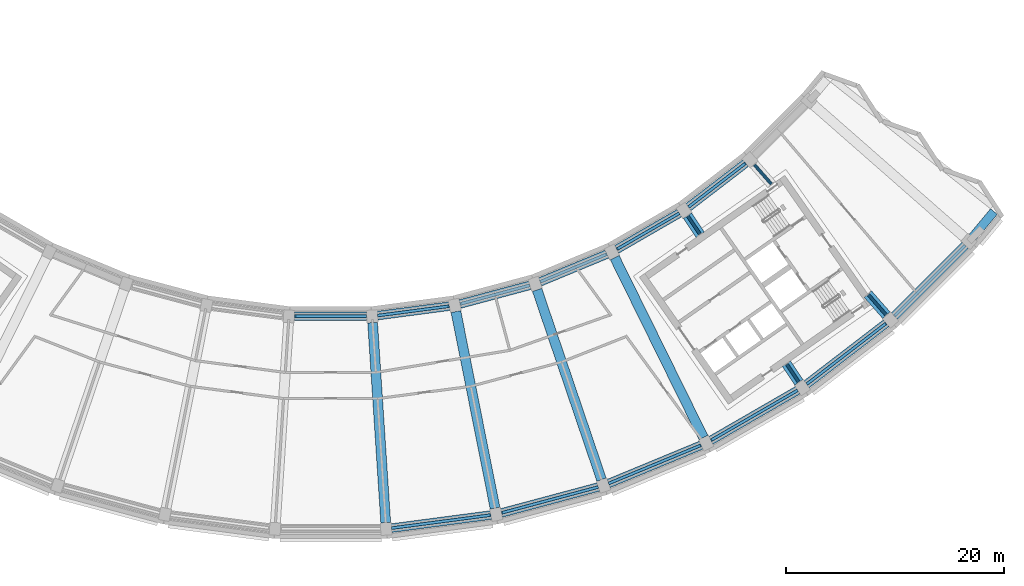
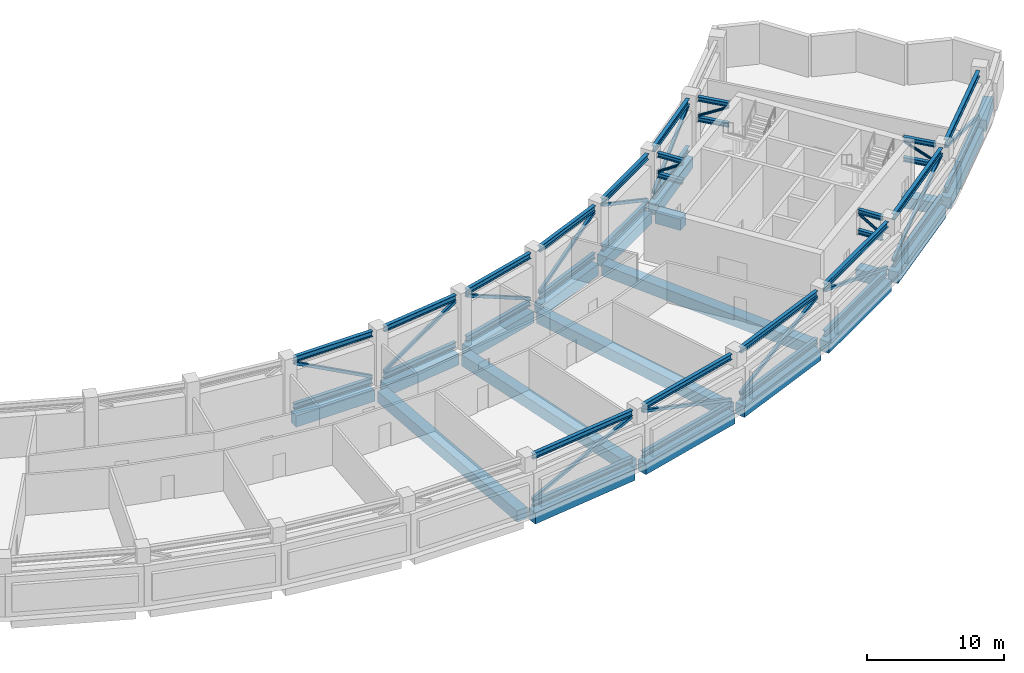
# One storey, part 3 of 24: 48 members, 20 beams.
"""IFC4 building model written with IfcOpenShell, lengths in metres."""

from ifc_helpers import new_model, si_unit, direction, frame, origin, origin_2d, place, context, subcontext, project, spatial, rectangle, hollow_rectangle, hollow_circle, i_section, extrude, material, material_profile, profile_set, type_object, element, save


model = new_model("IFC4")

# Units and contexts
model_context = context("Model", 3, precision=1e-05, world=origin(), true_north=direction((0.0, 1.0)))
body_context = subcontext(model_context, "Body", "Model", "MODEL_VIEW")
ifc_project = project(units=[si_unit("LENGTHUNIT", "METRE"), si_unit("AREAUNIT", "SQUARE_METRE"), si_unit("VOLUMEUNIT", "CUBIC_METRE"), si_unit("PLANEANGLEUNIT", "RADIAN"), si_unit("MASSUNIT", "GRAM", prefix="KILO")], contexts=[model_context])

# Site, building, storey
site_placement = place(None, origin())
site = spatial("IfcSite", under=ifc_project, at=site_placement, CompositionType="ELEMENT")
building_placement = place(site_placement, origin())
building = spatial("IfcBuilding", under=site, at=building_placement, Name="Qamariyya Broadcast Tower", CompositionType="ELEMENT")
storey_placement = place(building_placement, frame((0.0, 0.0, 253.10009765625)))
storey = spatial("IfcBuildingStorey", under=building, at=storey_placement, Name="L61", CompositionType="ELEMENT", Elevation=253.10009765625)

# Members
ifc_material_1 = material(Name="Steel S355", Category="steel")
ifc_material_profile_1 = material_profile(ifc_material_1, i_section(OverallWidth=0.300048828125, OverallDepth=0.5, WebThickness=0.014404296875, FlangeThickness=0.028076171875, FilletRadius=0.027099609375, at=origin_2d()))
ifc_profile_set_1 = profile_set([ifc_material_profile_1], Name="Steel S355")
member_type_1 = type_object("IfcMemberType", Name="Belt truss bottom chord HEB 500", PredefinedType="CHORD", material=ifc_profile_set_1)
member_1_placement = place(storey_placement, frame((-3.30859375, -58.125244140625, 0.25), z_axis=(1.0, 0.0, 0.0), x_axis=(0.0, 1.0, 0.0)))
element("IfcMember", 1, at=member_1_placement, inside=storey, type_object=member_type_1, Name="Belt truss bottom chord T28 L61 B-R10", PredefinedType="CHORD", context=body_context, shape_type="SweptSolid", body=[
    extrude(i_section(OverallWidth=0.300048828125, OverallDepth=0.5, WebThickness=0.014404296875, FlangeThickness=0.028076171875, FilletRadius=0.027099609375, at=origin_2d()), origin(), (0.0, 0.0, 1.0), 6.6171875),
])
for number, where, z_axis, x_axis, name in (
    (2, (4.306396484375, -58.059814453125, 0.25), (0.991444372314, 0.130529906942, 0.0), (-0.130529906942, 0.991444372314, 0.0), "Belt truss bottom chord T28 L61 B-R11"),
    (3, (11.847900390625, -57.0009765625, 0.25), (0.965927466282, 0.258812924486, 0.0), (-0.258812924486, 0.965927466282, 0.0), "Belt truss bottom chord T28 L61 B-R12"),
):
    element("IfcMember", number, at=place(storey_placement, frame(where, z_axis=z_axis, x_axis=x_axis)), inside=storey, type_object=member_type_1, Name=name, PredefinedType="CHORD", context=body_context, shape_type="SweptSolid", body=[
        extrude(i_section(OverallWidth=0.300048828125, OverallDepth=0.5, WebThickness=0.014404296875, FlangeThickness=0.028076171875, FilletRadius=0.027099609375, at=origin_2d()), origin(), (0.0, 0.0, 1.0), 6.617431640625),
    ])
for number, where, z_axis, x_axis, name in (
    (4, (19.186767578125, -54.967041015625, 0.25), (0.923870685948, 0.382704789159, 0.0), (-0.382704789159, 0.923870685948, 0.0), "Belt truss bottom chord T28 L61 B-R13"),
    (5, (26.197265625, -51.9921875, 0.25), (0.866027686223, 0.499996046679, 0.0), (-0.499996046679, 0.866027686223, 0.0), "Belt truss bottom chord T28 L61 B-R14"),
):
    element("IfcMember", number, at=place(storey_placement, frame(where, z_axis=z_axis, x_axis=x_axis)), inside=storey, type_object=member_type_1, Name=name, PredefinedType="CHORD", context=body_context, shape_type="SweptSolid", body=[
        extrude(i_section(OverallWidth=0.300048828125, OverallDepth=0.5, WebThickness=0.014404296875, FlangeThickness=0.028076171875, FilletRadius=0.027099609375, at=origin_2d()), origin(), (0.0, 0.0, 1.0), 6.6171875),
    ])
member_2_placement = place(storey_placement, frame((32.759521484375, -48.128173828125, 0.25), z_axis=(0.79333253184, 0.608788546151, 0.0), x_axis=(-0.608788546151, 0.79333253184, 0.0)))
element("IfcMember", 6, at=member_2_placement, inside=storey, type_object=member_type_1, Name="Belt truss bottom chord T28 L61 B-R15", PredefinedType="CHORD", context=body_context, shape_type="SweptSolid", body=[
    extrude(i_section(OverallWidth=0.300048828125, OverallDepth=0.5, WebThickness=0.014404296875, FlangeThickness=0.028076171875, FilletRadius=0.027099609375, at=origin_2d()), origin(), (0.0, 0.0, 1.0), 6.617431640625),
])
for number, where, z_axis, x_axis, name in (
    (7, (5.581787109375, -77.51806640625, 0.25), (0.991446770895, 0.130511687147, 0.0), (-0.130511687147, 0.991446770895, 0.0), "Belt truss bottom chord T28 L61 C-R11"),
    (8, (15.65234375, -76.12646484375, 0.25), (0.965919522093, 0.258842571536, 0.0), (-0.258842571536, 0.965919522093, 0.0), "Belt truss bottom chord T28 L61 C-R12"),
):
    element("IfcMember", number, at=place(storey_placement, frame(where, z_axis=z_axis, x_axis=x_axis)), inside=storey, type_object=member_type_1, Name=name, PredefinedType="CHORD", context=body_context, shape_type="SweptSolid", body=[
        extrude(i_section(OverallWidth=0.300048828125, OverallDepth=0.5, WebThickness=0.014404296875, FlangeThickness=0.028076171875, FilletRadius=0.027099609375, at=origin_2d()), origin(), (0.0, 0.0, 1.0), 9.16796875),
    ])
for number, where, z_axis, x_axis, name in (
    (9, (25.454833984375, -73.43212890625, 0.25), (0.923876946533, 0.382689675409, 0.0), (-0.382689675409, 0.923876946533, 0.0), "Belt truss bottom chord T28 L61 C-R13"),
    (10, (34.82177734375, -69.481201171875, 0.25), (0.866032154434, 0.49998830735, 0.0), (-0.49998830735, 0.866032154434, 0.0), "Belt truss bottom chord T28 L61 C-R14"),
    (11, (43.593017578125, -64.341796875, 0.25), (0.793352992445, 0.608761882331, 0.0), (-0.608761882331, 0.793352992445, 0.0), "Belt truss bottom chord T28 L61 C-R15"),
    (12, (51.618408203125, -58.101318359375, 0.25), (0.707106781187, 0.707106781187, 0.0), (-0.707106781187, 0.707106781187, 0.0), "Belt truss bottom chord T28 L61 C-R16"),
):
    element("IfcMember", number, at=place(storey_placement, frame(where, z_axis=z_axis, x_axis=x_axis)), inside=storey, type_object=member_type_1, Name=name, PredefinedType="CHORD", context=body_context, shape_type="SweptSolid", body=[
        extrude(i_section(OverallWidth=0.300048828125, OverallDepth=0.5, WebThickness=0.014404296875, FlangeThickness=0.028076171875, FilletRadius=0.027099609375, at=origin_2d()), origin(), (0.0, 0.0, 1.0), 9.168212890625),
    ])
ifc_material_profile_2 = material_profile(ifc_material_1, hollow_rectangle(XDim=0.25, YDim=0.25, WallThickness=0.010009765625, InnerFilletRadius=0.010009765625, OuterFilletRadius=0.02001953125, at=origin_2d()))
ifc_profile_set_2 = profile_set([ifc_material_profile_2], Name="Steel S355")
member_type_2 = type_object("IfcMemberType", Name="Belt truss diagonal RHS 250x250x10", PredefinedType="BRACE", material=ifc_profile_set_2)
member_3_placement = place(storey_placement, frame((-3.24755859375, -58.125244140625, 4.089599609375), z_axis=(0.881481940295, 0.0, -0.472217734667), x_axis=(0.0, 1.0, 0.0)))
element("IfcMember", 13, at=member_3_placement, inside=storey, type_object=member_type_2, Name="Belt truss diagonal T29 L61 B-R10", PredefinedType="BRACE", context=body_context, shape_type="SweptSolid", body=[
    extrude(hollow_rectangle(XDim=0.25, YDim=0.25, WallThickness=0.010009765625, InnerFilletRadius=0.010009765625, OuterFilletRadius=0.02001953125, at=origin_2d()), origin(), (0.0, 0.0, 1.0), 7.368408203125),
])
for number, where, z_axis, x_axis, name in (
    (14, (4.366943359375, -58.052001953125, 0.610107421875), (0.873943840112, 0.115070211044, 0.472208651828), (-0.130541047537, 0.991442905521, 0.0), "Belt truss diagonal T29 L61 B-R11"),
    (15, (11.906982421875, -56.9853515625, 4.089599609375), (0.851448379145, 0.228152912242, -0.472209599952), (-0.258827519767, 0.96592355547, 0.0), "Belt truss diagonal T29 L61 B-R12"),
):
    element("IfcMember", number, at=place(storey_placement, frame(where, z_axis=z_axis, x_axis=x_axis)), inside=storey, type_object=member_type_2, Name=name, PredefinedType="BRACE", context=body_context, shape_type="SweptSolid", body=[
        extrude(hollow_rectangle(XDim=0.25, YDim=0.25, WallThickness=0.010009765625, InnerFilletRadius=0.010009765625, OuterFilletRadius=0.02001953125, at=origin_2d()), origin(), (0.0, 0.0, 1.0), 7.36865234375),
    ])
member_4_placement = place(storey_placement, frame((19.2431640625, -54.943603515625, 0.610107421875), z_axis=(0.814383519397, 0.337330184751, 0.472215872023), x_axis=(-0.382684871323, 0.923878936474, 0.0)))
element("IfcMember", 16, at=member_4_placement, inside=storey, type_object=member_type_2, Name="Belt truss diagonal T29 L61 B-R13", PredefinedType="BRACE", context=body_context, shape_type="SweptSolid", body=[
    extrude(hollow_rectangle(XDim=0.25, YDim=0.25, WallThickness=0.010009765625, InnerFilletRadius=0.010009765625, OuterFilletRadius=0.02001953125, at=origin_2d()), origin(), (0.0, 0.0, 1.0), 7.368408203125),
])
member_5_placement = place(storey_placement, frame((26.25, -51.961669921875, 4.089599609375), z_axis=(0.763403173701, 0.440726922294, -0.472202683546), x_axis=(-0.49997949009, 0.866037244863, 0.0)))
element("IfcMember", 17, at=member_5_placement, inside=storey, type_object=member_type_2, Name="Belt truss diagonal T29 L61 B-R14", PredefinedType="BRACE", context=body_context, shape_type="SweptSolid", body=[
    extrude(hollow_rectangle(XDim=0.25, YDim=0.25, WallThickness=0.010009765625, InnerFilletRadius=0.010009765625, OuterFilletRadius=0.02001953125, at=origin_2d()), origin(), (0.0, 0.0, 1.0), 7.36865234375),
])
member_6_placement = place(storey_placement, frame((32.807861328125, -48.0908203125, 0.610107421875), z_axis=(0.699343349392, 0.536592862245, 0.472214972072), x_axis=(-0.60873846283, 0.793370962332, 0.0)))
element("IfcMember", 18, at=member_6_placement, inside=storey, type_object=member_type_2, Name="Belt truss diagonal T29 L61 B-R15", PredefinedType="BRACE", context=body_context, shape_type="SweptSolid", body=[
    extrude(hollow_rectangle(XDim=0.25, YDim=0.25, WallThickness=0.010009765625, InnerFilletRadius=0.010009765625, OuterFilletRadius=0.02001953125, at=origin_2d()), origin(), (0.0, 0.0, 1.0), 7.368408203125),
])
for number, where, z_axis, x_axis, name in (
    (19, (5.628173828125, -77.511962890625, 0.61669921875), (0.926171242383, 0.12191622427, 0.356851879697), (-0.130508795509, 0.991447151539, 0.0), "Belt truss diagonal T29 L61 C-R11"),
    (20, (15.697265625, -76.1142578125, 4.083251953125), (0.902334672659, 0.241768592663, -0.356847426947), (-0.258807804761, 0.965928838059, 0.0), "Belt truss diagonal T29 L61 C-R12"),
    (21, (25.497802734375, -73.414306640625, 0.61669921875), (0.863049937059, 0.357499355134, 0.356845929248), (-0.382694731444, 0.923874852199, 0.0), "Belt truss diagonal T29 L61 C-R13"),
    (22, (34.8623046875, -69.4580078125, 4.083251953125), (0.809005966648, 0.467082196028, -0.356852305698), (-0.500001913541, 0.866024298998, 0.0), "Belt truss diagonal T29 L61 C-R14"),
    (23, (43.630126953125, -64.3134765625, 0.61669921875), (0.741117027103, 0.568686496297, 0.356849017187), (-0.608766414989, 0.793349514389, 0.0), "Belt truss diagonal T29 L61 C-R15"),
):
    element("IfcMember", number, at=place(storey_placement, frame(where, z_axis=z_axis, x_axis=x_axis)), inside=storey, type_object=member_type_2, Name=name, PredefinedType="BRACE", context=body_context, shape_type="SweptSolid", body=[
        extrude(hollow_rectangle(XDim=0.25, YDim=0.25, WallThickness=0.010009765625, InnerFilletRadius=0.010009765625, OuterFilletRadius=0.02001953125, at=origin_2d()), origin(), (0.0, 0.0, 1.0), 9.71435546875),
    ])
member_7_placement = place(storey_placement, frame((51.6513671875, -58.068359375, 4.083251953125), z_axis=(0.660554461539, 0.660554461539, -0.356841150487), x_axis=(-0.707106781187, 0.707106781187, 0.0)))
element("IfcMember", 24, at=member_7_placement, inside=storey, type_object=member_type_2, Name="Belt truss diagonal T29 L61 C-R16", PredefinedType="BRACE", context=body_context, shape_type="SweptSolid", body=[
    extrude(hollow_rectangle(XDim=0.25, YDim=0.25, WallThickness=0.010009765625, InnerFilletRadius=0.010009765625, OuterFilletRadius=0.02001953125, at=origin_2d()), origin(), (0.0, 0.0, 1.0), 9.714599609375),
])
ifc_material_profile_3 = material_profile(ifc_material_1, i_section(OverallWidth=0.300048828125, OverallDepth=0.5, WebThickness=0.014404296875, FlangeThickness=0.028076171875, FilletRadius=0.027099609375, at=origin_2d()))
ifc_profile_set_3 = profile_set([ifc_material_profile_3], Name="Steel S355")
member_type_3 = type_object("IfcMemberType", Name="Belt truss top chord HEB 500", PredefinedType="CHORD", material=ifc_profile_set_3)
member_8_placement = place(storey_placement, frame((-3.30859375, -58.125244140625, 4.449951171875), z_axis=(1.0, 0.0, 0.0), x_axis=(0.0, 1.0, 0.0)))
element("IfcMember", 25, at=member_8_placement, inside=storey, type_object=member_type_3, Name="Belt truss top chord T27 L61 B-R10", PredefinedType="CHORD", context=body_context, shape_type="SweptSolid", body=[
    extrude(i_section(OverallWidth=0.300048828125, OverallDepth=0.5, WebThickness=0.014404296875, FlangeThickness=0.028076171875, FilletRadius=0.027099609375, at=origin_2d()), origin(), (0.0, 0.0, 1.0), 6.6171875),
])
for number, where, z_axis, x_axis, name in (
    (26, (4.306396484375, -58.059814453125, 4.449951171875), (0.991444372314, 0.130529906942, 0.0), (-0.130529906942, 0.991444372314, 0.0), "Belt truss top chord T27 L61 B-R11"),
    (27, (11.847900390625, -57.0009765625, 4.449951171875), (0.965927466282, 0.258812924486, 0.0), (-0.258812924486, 0.965927466282, 0.0), "Belt truss top chord T27 L61 B-R12"),
):
    element("IfcMember", number, at=place(storey_placement, frame(where, z_axis=z_axis, x_axis=x_axis)), inside=storey, type_object=member_type_3, Name=name, PredefinedType="CHORD", context=body_context, shape_type="SweptSolid", body=[
        extrude(i_section(OverallWidth=0.300048828125, OverallDepth=0.5, WebThickness=0.014404296875, FlangeThickness=0.028076171875, FilletRadius=0.027099609375, at=origin_2d()), origin(), (0.0, 0.0, 1.0), 6.617431640625),
    ])
for number, where, z_axis, x_axis, name in (
    (28, (19.186767578125, -54.967041015625, 4.449951171875), (0.923870685948, 0.382704789159, 0.0), (-0.382704789159, 0.923870685948, 0.0), "Belt truss top chord T27 L61 B-R13"),
    (29, (26.197265625, -51.9921875, 4.449951171875), (0.866027686223, 0.499996046679, 0.0), (-0.499996046679, 0.866027686223, 0.0), "Belt truss top chord T27 L61 B-R14"),
):
    element("IfcMember", number, at=place(storey_placement, frame(where, z_axis=z_axis, x_axis=x_axis)), inside=storey, type_object=member_type_3, Name=name, PredefinedType="CHORD", context=body_context, shape_type="SweptSolid", body=[
        extrude(i_section(OverallWidth=0.300048828125, OverallDepth=0.5, WebThickness=0.014404296875, FlangeThickness=0.028076171875, FilletRadius=0.027099609375, at=origin_2d()), origin(), (0.0, 0.0, 1.0), 6.6171875),
    ])
member_9_placement = place(storey_placement, frame((32.759521484375, -48.128173828125, 4.449951171875), z_axis=(0.79333253184, 0.608788546151, 0.0), x_axis=(-0.608788546151, 0.79333253184, 0.0)))
element("IfcMember", 30, at=member_9_placement, inside=storey, type_object=member_type_3, Name="Belt truss top chord T27 L61 B-R15", PredefinedType="CHORD", context=body_context, shape_type="SweptSolid", body=[
    extrude(i_section(OverallWidth=0.300048828125, OverallDepth=0.5, WebThickness=0.014404296875, FlangeThickness=0.028076171875, FilletRadius=0.027099609375, at=origin_2d()), origin(), (0.0, 0.0, 1.0), 6.617431640625),
])
for number, where, z_axis, x_axis, name in (
    (31, (5.581787109375, -77.51806640625, 4.449951171875), (0.991446770895, 0.130511687147, 0.0), (-0.130511687147, 0.991446770895, 0.0), "Belt truss top chord T27 L61 C-R11"),
    (32, (15.65234375, -76.12646484375, 4.449951171875), (0.965919522093, 0.258842571536, 0.0), (-0.258842571536, 0.965919522093, 0.0), "Belt truss top chord T27 L61 C-R12"),
):
    element("IfcMember", number, at=place(storey_placement, frame(where, z_axis=z_axis, x_axis=x_axis)), inside=storey, type_object=member_type_3, Name=name, PredefinedType="CHORD", context=body_context, shape_type="SweptSolid", body=[
        extrude(i_section(OverallWidth=0.300048828125, OverallDepth=0.5, WebThickness=0.014404296875, FlangeThickness=0.028076171875, FilletRadius=0.027099609375, at=origin_2d()), origin(), (0.0, 0.0, 1.0), 9.16796875),
    ])
for number, where, z_axis, x_axis, name in (
    (33, (25.454833984375, -73.43212890625, 4.449951171875), (0.923876946533, 0.382689675409, 0.0), (-0.382689675409, 0.923876946533, 0.0), "Belt truss top chord T27 L61 C-R13"),
    (34, (34.82177734375, -69.481201171875, 4.449951171875), (0.866032154434, 0.49998830735, 0.0), (-0.49998830735, 0.866032154434, 0.0), "Belt truss top chord T27 L61 C-R14"),
    (35, (43.593017578125, -64.341796875, 4.449951171875), (0.793352992445, 0.608761882331, 0.0), (-0.608761882331, 0.793352992445, 0.0), "Belt truss top chord T27 L61 C-R15"),
    (36, (51.618408203125, -58.101318359375, 4.449951171875), (0.707106781187, 0.707106781187, 0.0), (-0.707106781187, 0.707106781187, 0.0), "Belt truss top chord T27 L61 C-R16"),
):
    element("IfcMember", number, at=place(storey_placement, frame(where, z_axis=z_axis, x_axis=x_axis)), inside=storey, type_object=member_type_3, Name=name, PredefinedType="CHORD", context=body_context, shape_type="SweptSolid", body=[
        extrude(i_section(OverallWidth=0.300048828125, OverallDepth=0.5, WebThickness=0.014404296875, FlangeThickness=0.028076171875, FilletRadius=0.027099609375, at=origin_2d()), origin(), (0.0, 0.0, 1.0), 9.168212890625),
    ])
ifc_material_profile_4 = material_profile(ifc_material_1, i_section(OverallWidth=0.300048828125, OverallDepth=0.389892578125, WebThickness=0.010986328125, FlangeThickness=0.01904296875, FilletRadius=0.027099609375, at=origin_2d()))
ifc_profile_set_4 = profile_set([ifc_material_profile_4], Name="Steel S355")
member_type_4 = type_object("IfcMemberType", Name="Outrigger truss bottom chord HEA 400", PredefinedType="CHORD", material=ifc_profile_set_4)
member_10_placement = place(storey_placement, frame((32.692626953125, -48.927734375, 2.69482421875), z_axis=(0.555562587302, -0.831474720957, 0.0), x_axis=(0.831474720957, 0.555562587302, 0.0)))
element("IfcMember", 37, at=member_10_placement, inside=storey, type_object=member_type_4, Name="Outrigger truss bottom chord T25 L61 R15", PredefinedType="CHORD", context=body_context, shape_type="SweptSolid", body=[
    extrude(i_section(OverallWidth=0.300048828125, OverallDepth=0.389892578125, WebThickness=0.010986328125, FlangeThickness=0.01904296875, FilletRadius=0.027099609375, at=origin_2d()), origin(), (0.0, 0.0, 1.0), 2.0244140625),
])
member_11_placement = place(storey_placement, frame((41.75830078125, -62.49560546875, 2.69482421875), z_axis=(0.555520070423, -0.83150312769, 0.0), x_axis=(0.83150312769, 0.555520070423, 0.0)))
element("IfcMember", 38, at=member_11_placement, inside=storey, type_object=member_type_4, Name="Outrigger truss bottom chord T25 L61 R15", PredefinedType="CHORD", context=body_context, shape_type="SweptSolid", body=[
    extrude(i_section(OverallWidth=0.300048828125, OverallDepth=0.389892578125, WebThickness=0.010986328125, FlangeThickness=0.01904296875, FilletRadius=0.027099609375, at=origin_2d()), origin(), (0.0, 0.0, 1.0), 1.9921875),
])
member_12_placement = place(storey_placement, frame((38.79931640625, -44.241943359375, 2.69482421875), z_axis=(0.659261415611, -0.751913815465, 0.0), x_axis=(0.751913815465, 0.659261415611, 0.0)))
element("IfcMember", 39, at=member_12_placement, inside=storey, type_object=member_type_4, Name="Outrigger truss bottom chord T25 L61 R16", PredefinedType="CHORD", context=body_context, shape_type="SweptSolid", body=[
    extrude(i_section(OverallWidth=0.300048828125, OverallDepth=0.389892578125, WebThickness=0.010986328125, FlangeThickness=0.01904296875, FilletRadius=0.027099609375, at=origin_2d()), origin(), (0.0, 0.0, 1.0), 2.374267578125),
])
member_13_placement = place(storey_placement, frame((49.22412109375, -56.12939453125, 2.69482421875), z_axis=(0.65933417083, -0.75185001907, 0.0), x_axis=(0.75185001907, 0.65933417083, 0.0)))
element("IfcMember", 40, at=member_13_placement, inside=storey, type_object=member_type_4, Name="Outrigger truss bottom chord T25 L61 R16", PredefinedType="CHORD", context=body_context, shape_type="SweptSolid", body=[
    extrude(i_section(OverallWidth=0.300048828125, OverallDepth=0.389892578125, WebThickness=0.010986328125, FlangeThickness=0.01904296875, FilletRadius=0.027099609375, at=origin_2d()), origin(), (0.0, 0.0, 1.0), 2.4990234375),
])
ifc_material_profile_5 = material_profile(ifc_material_1, hollow_circle(Radius=0.109619140625, WallThickness=0.010009765625, at=origin_2d()))
ifc_profile_set_5 = profile_set([ifc_material_profile_5], Name="Steel S355")
member_type_5 = type_object("IfcMemberType", Name="Outrigger truss diagonal CHS 219.1x10", PredefinedType="BRACE", material=ifc_profile_set_5)
member_14_placement = place(storey_placement, frame((32.726806640625, -48.979248046875, 2.981689453125), z_axis=(0.465751195382, -0.697011844406, 0.545206669767), x_axis=(0.831457064539, 0.555589011615, 0.0)))
element("IfcMember", 41, at=member_14_placement, inside=storey, type_object=member_type_5, Name="Outrigger truss diagonal T30 L61 R15", PredefinedType="BRACE", context=body_context, shape_type="SweptSolid", body=[
    extrude(hollow_circle(Radius=0.109619140625, WallThickness=0.010009765625, at=origin_2d()), origin(), (0.0, 0.0, 1.0), 2.267578125),
])
member_15_placement = place(storey_placement, frame((41.79296875, -62.547607421875, 4.218505859375), z_axis=(0.463120348353, -0.693100093004, -0.552387367722), x_axis=(0.831466468953, 0.555574937346, 0.0)))
element("IfcMember", 42, at=member_15_placement, inside=storey, type_object=member_type_5, Name="Outrigger truss diagonal T30 L61 R15", PredefinedType="BRACE", context=body_context, shape_type="SweptSolid", body=[
    extrude(hollow_circle(Radius=0.109619140625, WallThickness=0.010009765625, at=origin_2d()), origin(), (0.0, 0.0, 1.0), 2.239990234375),
])
member_16_placement = place(storey_placement, frame((38.8349609375, -44.28271484375, 2.986328125), z_axis=(0.579732146221, -0.661116345209, 0.476272838545), x_axis=(0.751868743893, 0.659312817983, 0.0)))
element("IfcMember", 43, at=member_16_placement, inside=storey, type_object=member_type_5, Name="Outrigger truss diagonal T30 L61 R16", PredefinedType="BRACE", context=body_context, shape_type="SweptSolid", body=[
    extrude(hollow_circle(Radius=0.109619140625, WallThickness=0.010009765625, at=origin_2d()), origin(), (0.0, 0.0, 1.0), 2.576904296875),
])
member_17_placement = place(storey_placement, frame((49.25830078125, -56.168212890625, 4.21240234375), z_axis=(0.587028478124, -0.669424808026, -0.455266946166), x_axis=(0.751862813991, 0.659319580278, 0.0)))
element("IfcMember", 44, at=member_17_placement, inside=storey, type_object=member_type_5, Name="Outrigger truss diagonal T30 L61 R16", PredefinedType="BRACE", context=body_context, shape_type="SweptSolid", body=[
    extrude(hollow_circle(Radius=0.109619140625, WallThickness=0.010009765625, at=origin_2d()), origin(), (0.0, 0.0, 1.0), 2.6904296875),
])
ifc_material_profile_6 = material_profile(ifc_material_1, i_section(OverallWidth=0.300048828125, OverallDepth=0.389892578125, WebThickness=0.010986328125, FlangeThickness=0.01904296875, FilletRadius=0.027099609375, at=origin_2d()))
ifc_profile_set_6 = profile_set([ifc_material_profile_6], Name="Steel S355")
member_type_6 = type_object("IfcMemberType", Name="Outrigger truss top chord HEA 400", PredefinedType="CHORD", material=ifc_profile_set_6)
member_18_placement = place(storey_placement, frame((32.692626953125, -48.927734375, 4.5048828125), z_axis=(0.555562587302, -0.831474720957, 0.0), x_axis=(0.831474720957, 0.555562587302, 0.0)))
element("IfcMember", 45, at=member_18_placement, inside=storey, type_object=member_type_6, Name="Outrigger truss top chord T24 L61 R15", PredefinedType="CHORD", context=body_context, shape_type="SweptSolid", body=[
    extrude(i_section(OverallWidth=0.300048828125, OverallDepth=0.389892578125, WebThickness=0.010986328125, FlangeThickness=0.01904296875, FilletRadius=0.027099609375, at=origin_2d()), origin(), (0.0, 0.0, 1.0), 2.0244140625),
])
member_19_placement = place(storey_placement, frame((41.75830078125, -62.49560546875, 4.5048828125), z_axis=(0.555520070423, -0.83150312769, 0.0), x_axis=(0.83150312769, 0.555520070423, 0.0)))
element("IfcMember", 46, at=member_19_placement, inside=storey, type_object=member_type_6, Name="Outrigger truss top chord T24 L61 R15", PredefinedType="CHORD", context=body_context, shape_type="SweptSolid", body=[
    extrude(i_section(OverallWidth=0.300048828125, OverallDepth=0.389892578125, WebThickness=0.010986328125, FlangeThickness=0.01904296875, FilletRadius=0.027099609375, at=origin_2d()), origin(), (0.0, 0.0, 1.0), 1.9921875),
])
member_20_placement = place(storey_placement, frame((38.79931640625, -44.241943359375, 4.5048828125), z_axis=(0.659261415611, -0.751913815465, 0.0), x_axis=(0.751913815465, 0.659261415611, 0.0)))
element("IfcMember", 47, at=member_20_placement, inside=storey, type_object=member_type_6, Name="Outrigger truss top chord T24 L61 R16", PredefinedType="CHORD", context=body_context, shape_type="SweptSolid", body=[
    extrude(i_section(OverallWidth=0.300048828125, OverallDepth=0.389892578125, WebThickness=0.010986328125, FlangeThickness=0.01904296875, FilletRadius=0.027099609375, at=origin_2d()), origin(), (0.0, 0.0, 1.0), 2.374267578125),
])
member_21_placement = place(storey_placement, frame((49.22412109375, -56.12939453125, 4.5048828125), z_axis=(0.65933417083, -0.75185001907, 0.0), x_axis=(0.75185001907, 0.65933417083, 0.0)))
element("IfcMember", 48, at=member_21_placement, inside=storey, type_object=member_type_6, Name="Outrigger truss top chord T24 L61 R16", PredefinedType="CHORD", context=body_context, shape_type="SweptSolid", body=[
    extrude(i_section(OverallWidth=0.300048828125, OverallDepth=0.389892578125, WebThickness=0.010986328125, FlangeThickness=0.01904296875, FilletRadius=0.027099609375, at=origin_2d()), origin(), (0.0, 0.0, 1.0), 2.4990234375),
])

# Beams
ifc_material_2 = material(Name="Concrete C40/50", Category="concrete")
ifc_material_profile_7 = material_profile(ifc_material_2, rectangle(XDim=0.800048828125, YDim=1.0, at=origin_2d()))
ifc_profile_set_7 = profile_set([ifc_material_profile_7], Name="Concrete C40/50")
beam_type_1 = type_object("IfcBeamType", Name="RC edge beam 800 x 1000 C40/50", PredefinedType="SPANDREL", material=ifc_profile_set_7)
beam_1_placement = place(storey_placement, frame((-3.30859375, -58.125244140625, -0.900146484375), z_axis=(1.0, 0.0, 0.0), x_axis=(0.0, 1.0, 0.0)))
element("IfcBeam", 49, at=beam_1_placement, inside=storey, type_object=beam_type_1, Name="Edge beam B24 L61 B R10-R11", PredefinedType="SPANDREL", context=body_context, shape_type="SweptSolid", body=[
    extrude(rectangle(XDim=0.800048828125, YDim=1.0, at=origin_2d()), origin(), (0.0, 0.0, 1.0), 6.6171875),
])
for number, where, z_axis, x_axis, name in (
    (50, (4.306396484375, -58.059814453125, -0.900146484375), (0.991444372314, 0.130529906942, 0.0), (-0.130529906942, 0.991444372314, 0.0), "Edge beam B24 L61 B R11-R12"),
    (51, (11.847900390625, -57.0009765625, -0.900146484375), (0.965927466282, 0.258812924486, 0.0), (-0.258812924486, 0.965927466282, 0.0), "Edge beam B24 L61 B R12-R13"),
):
    element("IfcBeam", number, at=place(storey_placement, frame(where, z_axis=z_axis, x_axis=x_axis)), inside=storey, type_object=beam_type_1, Name=name, PredefinedType="SPANDREL", context=body_context, shape_type="SweptSolid", body=[
        extrude(rectangle(XDim=0.800048828125, YDim=1.0, at=origin_2d()), origin(), (0.0, 0.0, 1.0), 6.617431640625),
    ])
for number, where, z_axis, x_axis, name in (
    (52, (19.186767578125, -54.967041015625, -0.900146484375), (0.923870685948, 0.382704789159, 0.0), (-0.382704789159, 0.923870685948, 0.0), "Edge beam B24 L61 B R13-R14"),
    (53, (26.197265625, -51.9921875, -0.900146484375), (0.866027686223, 0.499996046679, 0.0), (-0.499996046679, 0.866027686223, 0.0), "Edge beam B24 L61 B R14-R15"),
):
    element("IfcBeam", number, at=place(storey_placement, frame(where, z_axis=z_axis, x_axis=x_axis)), inside=storey, type_object=beam_type_1, Name=name, PredefinedType="SPANDREL", context=body_context, shape_type="SweptSolid", body=[
        extrude(rectangle(XDim=0.800048828125, YDim=1.0, at=origin_2d()), origin(), (0.0, 0.0, 1.0), 6.6171875),
    ])
beam_2_placement = place(storey_placement, frame((32.759521484375, -48.128173828125, -0.900146484375), z_axis=(0.79333253184, 0.608788546151, 0.0), x_axis=(-0.608788546151, 0.79333253184, 0.0)))
element("IfcBeam", 54, at=beam_2_placement, inside=storey, type_object=beam_type_1, Name="Edge beam B24 L61 B R15-R16", PredefinedType="SPANDREL", context=body_context, shape_type="SweptSolid", body=[
    extrude(rectangle(XDim=0.800048828125, YDim=1.0, at=origin_2d()), origin(), (0.0, 0.0, 1.0), 6.617431640625),
])
for number, where, z_axis, x_axis, name in (
    (55, (5.581787109375, -77.51806640625, -0.900146484375), (0.991446770895, 0.130511687147, 0.0), (-0.130511687147, 0.991446770895, 0.0), "Edge beam B24 L61 C R11-R12"),
    (56, (15.65234375, -76.12646484375, -0.900146484375), (0.965919522093, 0.258842571536, 0.0), (-0.258842571536, 0.965919522093, 0.0), "Edge beam B24 L61 C R12-R13"),
):
    element("IfcBeam", number, at=place(storey_placement, frame(where, z_axis=z_axis, x_axis=x_axis)), inside=storey, type_object=beam_type_1, Name=name, PredefinedType="SPANDREL", context=body_context, shape_type="SweptSolid", body=[
        extrude(rectangle(XDim=0.800048828125, YDim=1.0, at=origin_2d()), origin(), (0.0, 0.0, 1.0), 9.16796875),
    ])
for number, where, z_axis, x_axis, name in (
    (57, (25.454833984375, -73.43212890625, -0.900146484375), (0.923876946533, 0.382689675409, 0.0), (-0.382689675409, 0.923876946533, 0.0), "Edge beam B24 L61 C R13-R14"),
    (58, (34.82177734375, -69.481201171875, -0.900146484375), (0.866032154434, 0.49998830735, 0.0), (-0.49998830735, 0.866032154434, 0.0), "Edge beam B24 L61 C R14-R15"),
    (59, (43.593017578125, -64.341796875, -0.900146484375), (0.793352992445, 0.608761882331, 0.0), (-0.608761882331, 0.793352992445, 0.0), "Edge beam B24 L61 C R15-R16"),
    (60, (51.618408203125, -58.101318359375, -0.900146484375), (0.707106781187, 0.707106781187, 0.0), (-0.707106781187, 0.707106781187, 0.0), "Edge beam B24 L61 C R16-R17"),
):
    element("IfcBeam", number, at=place(storey_placement, frame(where, z_axis=z_axis, x_axis=x_axis)), inside=storey, type_object=beam_type_1, Name=name, PredefinedType="SPANDREL", context=body_context, shape_type="SweptSolid", body=[
        extrude(rectangle(XDim=0.800048828125, YDim=1.0, at=origin_2d()), origin(), (0.0, 0.0, 1.0), 9.168212890625),
    ])
ifc_material_profile_8 = material_profile(ifc_material_2, rectangle(XDim=0.800048828125, YDim=1.0, at=origin_2d()))
ifc_profile_set_8 = profile_set([ifc_material_profile_8], Name="Concrete C40/50")
beam_type_2 = type_object("IfcBeamType", Name="RC horn beam 800 x 1000 C40/50", PredefinedType="BEAM", material=ifc_profile_set_8)
beam_3_placement = place(storey_placement, frame((58.77587890625, -50.880126953125, -0.900146484375), z_axis=(0.640467099541, 0.767985608202, 0.0), x_axis=(-0.767985608202, 0.640467099541, 0.0)))
element("IfcBeam", 61, at=beam_3_placement, inside=storey, type_object=beam_type_2, Name="Horn beam B25 L61 E C-R17", PredefinedType="BEAM", context=body_context, shape_type="SweptSolid", body=[
    extrude(rectangle(XDim=0.800048828125, YDim=1.0, at=origin_2d()), origin(), (0.0, 0.0, 1.0), 3.0576171875),
])
ifc_material_profile_9 = material_profile(ifc_material_2, rectangle(XDim=0.89990234375, YDim=1.0, at=origin_2d()))
ifc_profile_set_9 = profile_set([ifc_material_profile_9], Name="Concrete C40/50")
beam_type_3 = type_object("IfcBeamType", Name="RC radial beam 900 x 1000 C40/50", PredefinedType="BEAM", material=ifc_profile_set_9)
for number, where, z_axis, x_axis, name in (
    (62, (3.847412109375, -58.698974609375, -0.900146484375), (0.065405444204, -0.997858771505, 0.0), (0.997858771505, 0.065405444204, 0.0), "Radial beam B23 L61 R11 B-C"),
    (63, (11.47607421875, -57.694580078125, -0.900146484375), (0.195097720648, -0.980783808695, 0.0), (0.980783808695, 0.195097720648, 0.0), "Radial beam B23 L61 R12 B-C"),
    (64, (18.90869140625, -55.703125, -0.900146484375), (0.321439728167, -0.946930040265, 0.0), (0.946930040265, 0.321439728167, 0.0), "Radial beam B23 L61 R13 B-C"),
):
    element("IfcBeam", number, at=place(storey_placement, frame(where, z_axis=z_axis, x_axis=x_axis)), inside=storey, type_object=beam_type_3, Name=name, PredefinedType="BEAM", context=body_context, shape_type="SweptSolid", body=[
        extrude(rectangle(XDim=0.89990234375, YDim=1.0, at=origin_2d()), origin(), (0.0, 0.0, 1.0), 18.35009765625),
    ])
beam_4_placement = place(storey_placement, frame((26.017578125, -52.758544921875, -0.900146484375), z_axis=(0.442289405452, -0.896872388819, 0.0), x_axis=(0.896872388819, 0.442289405452, 0.0)))
element("IfcBeam", 65, at=beam_4_placement, inside=storey, type_object=beam_type_3, Name="Radial beam B23 L61 R14 B-C", PredefinedType="BEAM", context=body_context, shape_type="SweptSolid", body=[
    extrude(rectangle(XDim=0.89990234375, YDim=1.0, at=origin_2d()), origin(), (0.0, 0.0, 1.0), 18.349853515625),
])
beam_5_placement = place(storey_placement, frame((32.681396484375, -48.9111328125, -0.900146484375), z_axis=(0.555589685374, -0.831456614326, 0.0), x_axis=(0.831456614326, 0.555589685374, 0.0)))
element("IfcBeam", 66, at=beam_5_placement, inside=storey, type_object=beam_type_3, Name="Radial beam B23 L61 R15 B-C", PredefinedType="BEAM", context=body_context, shape_type="SweptSolid", body=[
    extrude(rectangle(XDim=0.89990234375, YDim=1.0, at=origin_2d()), origin(), (0.0, 0.0, 1.0), 2.08935546875),
])
beam_6_placement = place(storey_placement, frame((41.733154296875, -62.458251953125, -0.900146484375), z_axis=(0.555630982199, -0.831429017788, 0.0), x_axis=(0.831429017788, 0.555630982199, 0.0)))
element("IfcBeam", 67, at=beam_6_placement, inside=storey, type_object=beam_type_3, Name="Radial beam B23 L61 R15 B-C", PredefinedType="BEAM", context=body_context, shape_type="SweptSolid", body=[
    extrude(rectangle(XDim=0.89990234375, YDim=1.0, at=origin_2d()), origin(), (0.0, 0.0, 1.0), 2.05712890625),
])
beam_7_placement = place(storey_placement, frame((49.1943359375, -56.095458984375, -0.900146484375), z_axis=(0.65936701245, -0.751821217373, 0.0), x_axis=(0.751821217373, 0.65936701245, 0.0)))
element("IfcBeam", 68, at=beam_7_placement, inside=storey, type_object=beam_type_3, Name="Radial beam B23 L61 R16 B-C", PredefinedType="BEAM", context=body_context, shape_type="SweptSolid", body=[
    extrude(rectangle(XDim=0.89990234375, YDim=1.0, at=origin_2d()), origin(), (0.0, 0.0, 1.0), 2.56396484375),
])

save(model, "model.ifc")
